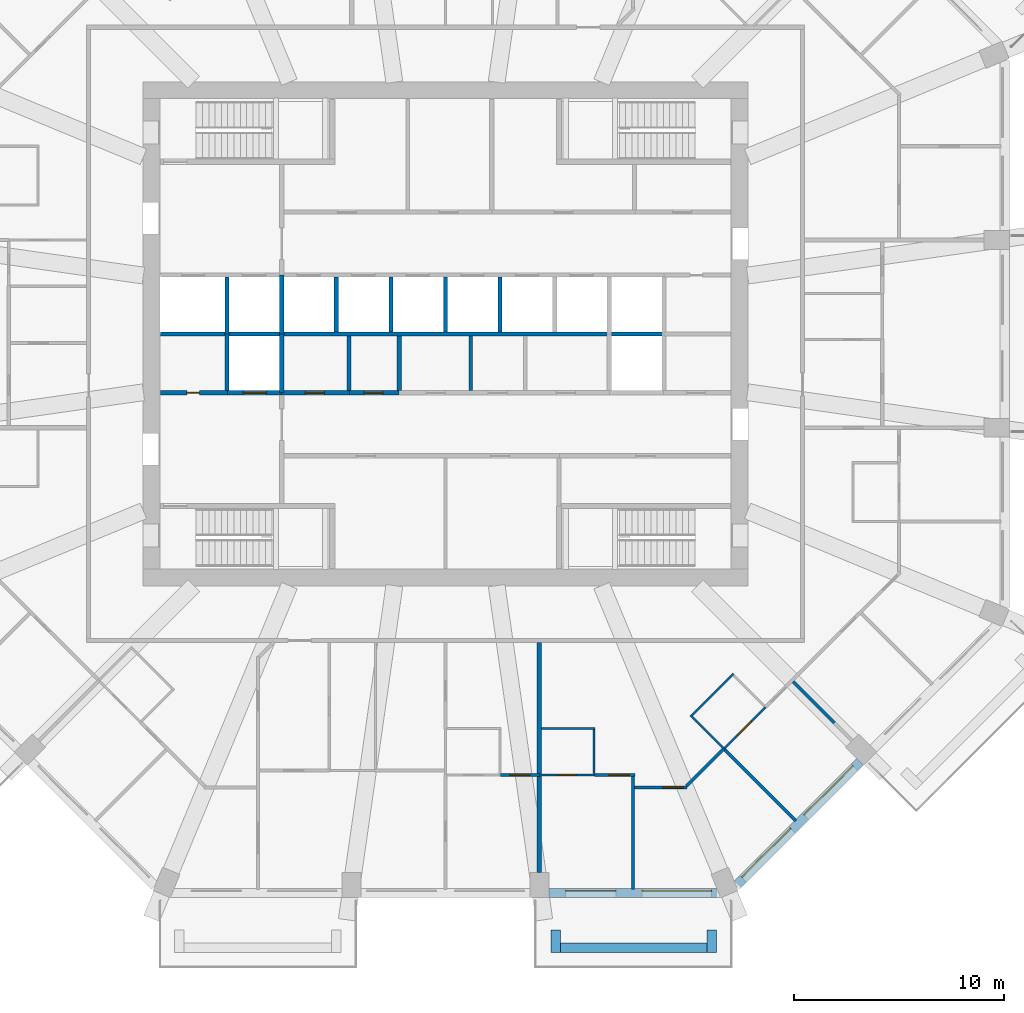
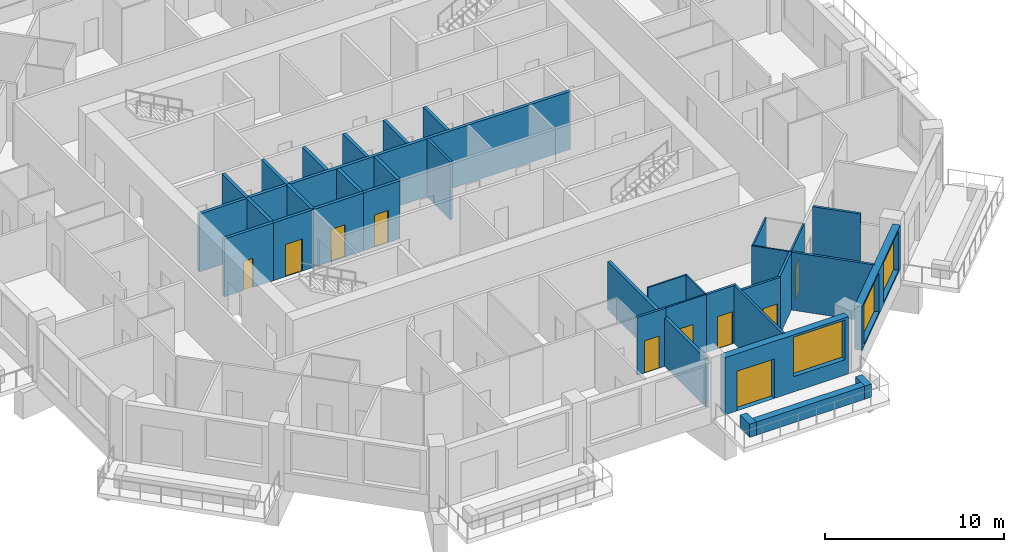
# One storey, part 5 of 13: 35 walls, 10 doors, 3 windows, 13 openings.
"""IFC4 building model written with IfcOpenShell, lengths in metres."""

from ifc_helpers import new_model, si_unit, direction, frame, frame_2d, origin, place, context, subcontext, project, spatial, rectangle, extrude, material, layer, layer_set, type_object, element, fill, save


model = new_model("IFC4")

# Units and contexts
model_context = context("Model", 3, precision=1e-05, world=origin(), true_north=direction((0.0, 1.0)))
body_context = subcontext(model_context, "Body", "Model", "MODEL_VIEW")
ifc_project = project(units=[si_unit("LENGTHUNIT", "METRE"), si_unit("AREAUNIT", "SQUARE_METRE"), si_unit("VOLUMEUNIT", "CUBIC_METRE"), si_unit("PLANEANGLEUNIT", "RADIAN"), si_unit("MASSUNIT", "GRAM", prefix="KILO")], contexts=[model_context])

# Site, building, storey
site_placement = place(None, origin())
site = spatial("IfcSite", under=ifc_project, at=site_placement, CompositionType="ELEMENT")
building_placement = place(site_placement, origin())
building = spatial("IfcBuilding", under=site, at=building_placement, Name="Msitu Wima Residences", CompositionType="ELEMENT")
storey_placement = place(building_placement, frame((0.0, 0.0, 106.5)))
storey = spatial("IfcBuildingStorey", under=building, at=storey_placement, Name="L24", CompositionType="ELEMENT", Elevation=106.5)

# Walls
ifc_material_1 = material(Name="Facing brick")
ifc_layer_1 = layer(ifc_material_1, 0.06494140625, Name="Facing brick")
ifc_material_2 = material(Name="Concrete C40/50", Category="concrete")
ifc_layer_2 = layer(ifc_material_2, 0.156005859375, Name="Concrete C40/50")
ifc_material_3 = material(Name="Waterproofing membrane")
ifc_layer_3 = layer(ifc_material_3, 0.00390625, Name="Waterproofing membrane")
ifc_material_4 = material(Name="Planting soil and planting")
ifc_layer_4 = layer(ifc_material_4, 0.22509765625, Name="Planting soil and planting")
ifc_layer_set_1 = layer_set([ifc_layer_1, ifc_layer_2, ifc_layer_3, ifc_layer_4], Name="Concrete C40/50")
wall_type_1 = type_object("IfcWallType", Name="Balcony planter PLANTER PL450", PredefinedType="USERDEFINED", material=ifc_layer_set_1)
wall_1_placement = place(storey_placement, frame((5.468505859375, -29.22509765625, 0.0), z_axis=(0.0, 0.0, 1.0), x_axis=(1.0, 0.0, 0.0)))
element("IfcWall", 1, at=wall_1_placement, inside=storey, type_object=wall_type_1, Name="Balcony planter S2 L24", ObjectType="PLANTER", PredefinedType="USERDEFINED", context=body_context, shape_type="SweptSolid", body=[
    extrude(rectangle(XDim=6.9873046875, YDim=0.449951171875, at=frame_2d((3.49365234375, 0.0))), origin(), (0.0, 0.0, 1.0), 0.89990234375),
])
for number, where, z_axis, x_axis, name in (
    (2, (5.24365234375, -28.39990234375, 0.0), (0.0, 0.0, 1.0), (0.0, -1.0, 0.0), "Balcony planter S2 L24"),
    (3, (12.680908203125, -28.39990234375, 0.0), (0.0, 0.0, 1.0), (0.0, -1.0, 0.0), "Balcony planter S2 L24"),
):
    element("IfcWall", number, at=place(storey_placement, frame(where, z_axis=z_axis, x_axis=x_axis)), inside=storey, type_object=wall_type_1, Name=name, ObjectType="PLANTER", PredefinedType="USERDEFINED", context=body_context, shape_type="SweptSolid", body=[
        extrude(rectangle(XDim=1.050048828125, YDim=0.449951171875, at=frame_2d((0.52490234375, 0.0))), origin(), (0.0, 0.0, 1.0), 0.89990234375),
    ])

# Wall, openings, door, window
ifc_material_5 = material(Name="Brick (red buff mix)", Category="masonry")
ifc_layer_5 = layer(ifc_material_5, 0.449951171875)
ifc_layer_set_2 = layer_set([ifc_layer_5], Name="Brick (red buff mix)")
wall_type_2 = type_object("IfcWallType", Name="Brick infill wall BW450", PredefinedType="SOLIDWALL", material=ifc_layer_set_2)
wall_2_placement = place(storey_placement, frame((4.918701171875, -26.625, 0.0), z_axis=(0.0, 0.0, 1.0), x_axis=(1.0, 0.0, 0.0)))
wall_2 = element("IfcWall", 4, at=wall_2_placement, inside=storey, type_object=wall_type_2, Name="Brick infill wall L24 S2", PredefinedType="SOLIDWALL", context=body_context, shape_type="SweptSolid", body=[
    extrude(rectangle(XDim=8.0, YDim=0.449951171875, at=frame_2d((4.0, 0.0))), origin(), (0.0, 0.0, 1.0), 3.89990234375),
])
opening_1_placement = place(wall_2_placement, frame((0.800048828125, 0.0, 0.0)))
opening_1 = element("IfcOpeningElement", 5, at=opening_1_placement, cuts=wall_2, Name="Opening D24.007", PredefinedType="OPENING", context=body_context, shape_type="SweptSolid", body=[
    extrude(rectangle(XDim=2.39990234375, YDim=2.699951171875, at=frame_2d((1.199951171875, 1.35009765625))), frame((0.0, 0.23486328125, 0.0), z_axis=(0.0, -1.0, 0.0), x_axis=(1.0, 0.0, 0.0)), (0.0, 0.0, 1.0), 0.469970703125),
])
opening_2_placement = place(wall_2_placement, frame((4.4501953125, 0.0, 1.050048828125)))
opening_2 = element("IfcOpeningElement", 6, at=opening_2_placement, cuts=wall_2, Name="Opening W24.019", PredefinedType="OPENING", context=body_context, shape_type="SweptSolid", body=[
    extrude(rectangle(XDim=3.300048828125, YDim=2.699951171875, at=frame_2d((1.64990234375, 1.35009765625))), frame((0.0, 0.23486328125, 0.0), z_axis=(0.0, -1.0, 0.0), x_axis=(1.0, 0.0, 0.0)), (0.0, 0.0, 1.0), 0.469970703125),
])
ifc_material_6 = material(Name="Anodised aluminium, bronze finish, clear low-emissivity double glazing", Category="aluminium")
door_type_1 = type_object("IfcDoorType", Name="Balcony door D2400x2700", OperationType="SLIDING_TO_LEFT", PredefinedType="DOOR", material=ifc_material_6)
door_1_placement = place(opening_1_placement, origin())
door_1 = element("IfcDoor", 7, at=door_1_placement, inside=storey, type_object=door_type_1, Name="Balcony door L24 S2", OperationType="SINGLE_SWING_LEFT", OverallHeight=2.699951171875, OverallWidth=2.39990234375, PredefinedType="DOOR", context=body_context, shape_type="SweptSolid", body=[
    extrude(rectangle(XDim=2.39990234375, YDim=2.699951171875, at=frame_2d((1.199951171875, 1.35009765625))), frame((0.0, 0.1298828125, 0.0), z_axis=(0.0, -1.0, 0.0), x_axis=(1.0, 0.0, 0.0)), (0.0, 0.0, 1.0), 0.050048828125),
])
fill(opening_1, door_1)
window_type = type_object("IfcWindowType", Name="Window W3300x2700", PartitioningType="DOUBLE_PANEL_VERTICAL", PredefinedType="WINDOW", material=ifc_material_6)
window_1_placement = place(opening_2_placement, origin())
window_1 = element("IfcWindow", 8, at=window_1_placement, inside=storey, type_object=window_type, Name="Window L24 S2.2", OverallHeight=2.699951171875, OverallWidth=3.300048828125, PartitioningType="SINGLE_PANEL", PredefinedType="WINDOW", context=body_context, shape_type="SweptSolid", body=[
    extrude(rectangle(XDim=3.300048828125, YDim=2.699951171875, at=frame_2d((1.64990234375, 1.35009765625))), frame((0.0, 0.135009765625, 0.0), z_axis=(0.0, -1.0, 0.0), x_axis=(1.0, 0.0, 0.0)), (0.0, 0.0, 1.0), 0.06005859375),
])
fill(opening_2, window_1)

# Wall, openings, windows
wall_3_placement = place(storey_placement, frame((13.909423828125, -26.214599609375, 0.89990234375), z_axis=(0.0, 0.0, 1.0), x_axis=(0.707106781187, 0.707106781187, 0.0)))
wall_3 = element("IfcWall", 9, at=wall_3_placement, inside=storey, type_object=wall_type_2, Name="Brick infill wall L24 SE0", PredefinedType="SOLIDWALL", context=body_context, shape_type="SweptSolid", body=[
    extrude(rectangle(XDim=8.251220703125, YDim=0.449951171875, at=frame_2d((4.12548828125, 0.0))), origin(), (0.0, 0.0, 1.0), 3.0),
])
opening_3_placement = place(wall_3_placement, frame((0.37548828125, 0.0, 0.14990234375)))
opening_3 = element("IfcOpeningElement", 10, at=opening_3_placement, cuts=wall_3, Name="Opening W24.020", PredefinedType="OPENING", context=body_context, shape_type="SweptSolid", body=[
    extrude(rectangle(XDim=3.300048828125, YDim=2.699951171875, at=frame_2d((1.64990234375, 1.35009765625))), frame((0.0, 0.23486328125, 0.0), z_axis=(0.0, -1.0, 0.0), x_axis=(1.0, 0.0, 0.0)), (0.0, 0.0, 1.0), 0.469970703125),
])
opening_4_placement = place(wall_3_placement, frame((4.57568359375, 0.0, 0.14990234375)))
opening_4 = element("IfcOpeningElement", 11, at=opening_4_placement, cuts=wall_3, Name="Opening W24.021", PredefinedType="OPENING", context=body_context, shape_type="SweptSolid", body=[
    extrude(rectangle(XDim=3.300048828125, YDim=2.699951171875, at=frame_2d((1.64990234375, 1.35009765625))), frame((0.0, 0.23486328125, 0.0), z_axis=(0.0, -1.0, 0.0), x_axis=(1.0, 0.0, 0.0)), (0.0, 0.0, 1.0), 0.469970703125),
])
window_2_placement = place(opening_3_placement, origin())
window_2 = element("IfcWindow", 12, at=window_2_placement, inside=storey, type_object=window_type, Name="Window L24 SE0.1", OverallHeight=2.699951171875, OverallWidth=3.300048828125, PartitioningType="SINGLE_PANEL", PredefinedType="WINDOW", context=body_context, shape_type="SweptSolid", body=[
    extrude(rectangle(XDim=3.300048828125, YDim=2.699951171875, at=frame_2d((1.64990234375, 1.35009765625))), frame((0.0, 0.135009765625, 0.0), z_axis=(0.0, -1.0, 0.0), x_axis=(1.0, 0.0, 0.0)), (0.0, 0.0, 1.0), 0.06005859375),
])
fill(opening_3, window_2)
window_3_placement = place(opening_4_placement, origin())
window_3 = element("IfcWindow", 13, at=window_3_placement, inside=storey, type_object=window_type, Name="Window L24 SE0.2", OverallHeight=2.699951171875, OverallWidth=3.300048828125, PartitioningType="SINGLE_PANEL", PredefinedType="WINDOW", context=body_context, shape_type="SweptSolid", body=[
    extrude(rectangle(XDim=3.300048828125, YDim=2.699951171875, at=frame_2d((1.64990234375, 1.35009765625))), frame((0.0, 0.135009765625, 0.0), z_axis=(0.0, -1.0, 0.0), x_axis=(1.0, 0.0, 0.0)), (0.0, 0.0, 1.0), 0.06005859375),
])
fill(opening_4, window_3)

# Wall, opening, door
ifc_material_7 = material(Name="Plaster")
ifc_layer_6 = layer(ifc_material_7, 0.011962890625, Name="Plaster")
ifc_material_8 = material(Name="Concrete blockwork", Category="masonry")
ifc_layer_7 = layer(ifc_material_8, 0.176025390625, Name="Concrete blockwork")
ifc_layer_8 = layer(ifc_material_7, 0.011962890625, Name="Plaster")
ifc_layer_set_3 = layer_set([ifc_layer_6, ifc_layer_7, ifc_layer_8], Name="Concrete blockwork")
wall_type_3 = type_object("IfcWallType", Name="Corridor wall FW200", PredefinedType="PARTITIONING", material=ifc_layer_set_3)
wall_4_placement = place(storey_placement, frame((-7.820068359375, -2.800048828125, 0.0), z_axis=(0.0, 0.0, 1.0), x_axis=(1.0, 0.0, 0.0)))
wall_4 = element("IfcWall", 14, at=wall_4_placement, inside=storey, type_object=wall_type_3, Name="Corridor wall", PredefinedType="PARTITIONING", context=body_context, shape_type="SweptSolid", body=[
    extrude(rectangle(XDim=3.239990234375, YDim=0.199951171875, at=frame_2d((1.6201171875, 0.0))), origin(), (0.0, 0.0, 1.0), 3.949951171875),
])
opening_5_placement = place(wall_4_placement, frame((1.14990234375, 0.0, 0.0)))
opening_5 = element("IfcOpeningElement", 15, at=opening_5_placement, cuts=wall_4, Name="Opening D24.031", PredefinedType="OPENING", context=body_context, shape_type="SweptSolid", body=[
    extrude(rectangle(XDim=0.89990234375, YDim=2.199951171875, at=frame_2d((0.449951171875, 1.10009765625))), frame((0.0, 0.10986328125, 0.0), z_axis=(0.0, -1.0, 0.0), x_axis=(1.0, 0.0, 0.0)), (0.0, 0.0, 1.0), 0.219970703125),
])
ifc_material_9 = material(Name="Timber flush door", Category="wood")
door_type_2 = type_object("IfcDoorType", Name="Service door D05 900x2200", OperationType="SINGLE_SWING_LEFT", PredefinedType="DOOR", material=ifc_material_9)
door_2_placement = place(opening_5_placement, origin())
door_2 = element("IfcDoor", 16, at=door_2_placement, inside=storey, type_object=door_type_2, Name="Service door", OperationType="SINGLE_SWING_LEFT", OverallHeight=2.199951171875, OverallWidth=0.89990234375, PredefinedType="DOOR", context=body_context, shape_type="SweptSolid", body=[
    extrude(rectangle(XDim=0.89990234375, YDim=2.199951171875, at=frame_2d((0.449951171875, 1.10009765625))), frame((0.0, 0.02490234375, 0.0), z_axis=(0.0, -1.0, 0.0), x_axis=(1.0, 0.0, 0.0)), (0.0, 0.0, 1.0), 0.050048828125),
])
fill(opening_5, door_2)

# Wall
ifc_layer_9 = layer(ifc_material_7, 0.011962890625, Name="Plaster")
ifc_layer_10 = layer(ifc_material_8, 0.1259765625, Name="Concrete blockwork")
ifc_layer_11 = layer(ifc_material_7, 0.011962890625, Name="Plaster")
ifc_layer_set_4 = layer_set([ifc_layer_9, ifc_layer_10, ifc_layer_11], Name="Concrete blockwork")
wall_type_4 = type_object("IfcWallType", Name="Partition PW150", PredefinedType="PARTITIONING", material=ifc_layer_set_4)
wall_5_placement = place(storey_placement, frame((1.199951171875, -2.699951171875, 0.0), z_axis=(0.0, 0.0, 1.0), x_axis=(0.0, 1.0, 0.0)))
element("IfcWall", 17, at=wall_5_placement, inside=storey, type_object=wall_type_4, Name="Partition", PredefinedType="PARTITIONING", context=body_context, shape_type="SweptSolid", body=[
    extrude(rectangle(XDim=2.599853515625, YDim=0.14990234375, at=frame_2d((1.2998046875, 0.0))), origin(), (0.0, 0.0, 1.0), 3.949951171875),
])

# Wall, opening, door
wall_6_placement = place(storey_placement, frame((2.6201171875, -21.0, 0.0), z_axis=(0.0, 0.0, 1.0), x_axis=(1.0, 0.0, 0.0)))
wall_6 = element("IfcWall", 18, at=wall_6_placement, inside=storey, type_object=wall_type_4, Name="Partition", PredefinedType="PARTITIONING", context=body_context, shape_type="SweptSolid", body=[
    extrude(rectangle(XDim=1.8486328125, YDim=0.14990234375, at=frame_2d((0.92431640625, 0.0))), origin(), (0.0, 0.0, 1.0), 3.949951171875),
])
opening_6_placement = place(wall_6_placement, frame((0.449951171875, 0.0, 0.0)))
opening_6 = element("IfcOpeningElement", 19, at=opening_6_placement, cuts=wall_6, Name="Opening D24.074", PredefinedType="OPENING", context=body_context, shape_type="SweptSolid", body=[
    extrude(rectangle(XDim=0.949951171875, YDim=2.199951171875, at=frame_2d((0.47509765625, 1.10009765625))), frame((0.0, 0.0849609375, 0.0), z_axis=(0.0, -1.0, 0.0), x_axis=(1.0, 0.0, 0.0)), (0.0, 0.0, 1.0), 0.169921875),
])
door_type_3 = type_object("IfcDoorType", Name="Room door D12 950x2200", OperationType="SINGLE_SWING_LEFT", PredefinedType="DOOR", material=ifc_material_9)
door_3_placement = place(opening_6_placement, origin())
door_3 = element("IfcDoor", 20, at=door_3_placement, inside=storey, type_object=door_type_3, Name="Room door", OperationType="SINGLE_SWING_LEFT", OverallHeight=2.199951171875, OverallWidth=0.949951171875, PredefinedType="DOOR", context=body_context, shape_type="SweptSolid", body=[
    extrude(rectangle(XDim=0.949951171875, YDim=2.199951171875, at=frame_2d((0.47509765625, 1.10009765625))), frame((0.0, 0.02490234375, 0.0), z_axis=(0.0, -1.0, 0.0), x_axis=(1.0, 0.0, 0.0)), (0.0, 0.0, 1.0), 0.050048828125),
])
fill(opening_6, door_3)

wall_7_placement = place(storey_placement, frame((7.088623046875, -21.0, 0.0), z_axis=(0.0, 0.0, 1.0), x_axis=(1.0, 0.0, 0.0)))
wall_7 = element("IfcWall", 21, at=wall_7_placement, inside=storey, type_object=wall_type_4, Name="Partition", PredefinedType="PARTITIONING", context=body_context, shape_type="SweptSolid", body=[
    extrude(rectangle(XDim=1.923583984375, YDim=0.14990234375, at=frame_2d((0.9619140625, 0.0))), origin(), (0.0, 0.0, 1.0), 3.949951171875),
])
opening_7_placement = place(wall_7_placement, frame((0.699951171875, 0.0, 0.0)))
opening_7 = element("IfcOpeningElement", 22, at=opening_7_placement, cuts=wall_7, Name="Opening D24.085", PredefinedType="OPENING", context=body_context, shape_type="SweptSolid", body=[
    extrude(rectangle(XDim=0.949951171875, YDim=2.199951171875, at=frame_2d((0.47509765625, 1.10009765625))), frame((0.0, 0.0849609375, 0.0), z_axis=(0.0, -1.0, 0.0), x_axis=(1.0, 0.0, 0.0)), (0.0, 0.0, 1.0), 0.169921875),
])
door_4_placement = place(opening_7_placement, origin())
door_4 = element("IfcDoor", 23, at=door_4_placement, inside=storey, type_object=door_type_3, Name="Room door", OperationType="SINGLE_SWING_LEFT", OverallHeight=2.199951171875, OverallWidth=0.949951171875, PredefinedType="DOOR", context=body_context, shape_type="SweptSolid", body=[
    extrude(rectangle(XDim=0.949951171875, YDim=2.199951171875, at=frame_2d((0.47509765625, 1.10009765625))), frame((0.0, 0.02490234375, 0.0), z_axis=(0.0, -1.0, 0.0), x_axis=(1.0, 0.0, 0.0)), (0.0, 0.0, 1.0), 0.050048828125),
])
fill(opening_7, door_4)

# Wall
wall_8_placement = place(storey_placement, frame((8.937255859375, -26.455078125, 0.0), z_axis=(0.0, 0.0, 1.0), x_axis=(0.0, 1.0, 0.0)))
element("IfcWall", 24, at=wall_8_placement, inside=storey, type_object=wall_type_4, Name="Partition", PredefinedType="PARTITIONING", context=body_context, shape_type="SweptSolid", body=[
    extrude(rectangle(XDim=5.380126953125, YDim=0.14990234375, at=frame_2d((2.68994140625, 0.0))), origin(), (0.0, 0.0, 1.0), 3.949951171875),
])

# Wall, opening, door
wall_9_placement = place(storey_placement, frame((9.01220703125, -21.60009765625, 0.0), z_axis=(0.0, 0.0, 1.0), x_axis=(1.0, 0.0, 0.0)))
wall_9 = element("IfcWall", 25, at=wall_9_placement, inside=storey, type_object=wall_type_4, Name="Partition", PredefinedType="PARTITIONING", context=body_context, shape_type="SweptSolid", body=[
    extrude(rectangle(XDim=2.48046875, YDim=0.14990234375, at=frame_2d((1.240234375, 0.0))), origin(), (0.0, 0.0, 1.0), 3.949951171875),
])
opening_8_placement = place(wall_9_placement, frame((1.35009765625, 0.0, 0.0)))
opening_8 = element("IfcOpeningElement", 26, at=opening_8_placement, cuts=wall_9, Name="Opening D24.089", PredefinedType="OPENING", context=body_context, shape_type="SweptSolid", body=[
    extrude(rectangle(XDim=0.949951171875, YDim=2.199951171875, at=frame_2d((0.47509765625, 1.10009765625))), frame((0.0, 0.0849609375, 0.0), z_axis=(0.0, -1.0, 0.0), x_axis=(1.0, 0.0, 0.0)), (0.0, 0.0, 1.0), 0.169921875),
])
door_5_placement = place(opening_8_placement, origin())
door_5 = element("IfcDoor", 27, at=door_5_placement, inside=storey, type_object=door_type_3, Name="Room door", OperationType="SINGLE_SWING_RIGHT", OverallHeight=2.199951171875, OverallWidth=0.949951171875, PredefinedType="DOOR", context=body_context, shape_type="SweptSolid", body=[
    extrude(rectangle(XDim=0.949951171875, YDim=2.199951171875, at=frame_2d((0.47509765625, 1.10009765625))), frame((0.0, 0.02490234375, 0.0), z_axis=(0.0, -1.0, 0.0), x_axis=(1.0, 0.0, 0.0)), (0.0, 0.0, 1.0), 0.050048828125),
])
fill(opening_8, door_5)

# Walls
wall_10_placement = place(storey_placement, frame((11.470703125, -21.546875, 0.0), z_axis=(0.0, 0.0, 1.0), x_axis=(0.707106781187, 0.707106781187, 0.0)))
element("IfcWall", 28, at=wall_10_placement, inside=storey, type_object=wall_type_4, Name="Partition", PredefinedType="PARTITIONING", context=body_context, shape_type="SweptSolid", body=[
    extrude(rectangle(XDim=2.53076171875, YDim=0.14990234375, at=frame_2d((1.265380859375, 0.0))), origin(), (0.0, 0.0, 1.0), 3.949951171875),
])
wall_11_placement = place(storey_placement, frame((13.24609375, -19.7431640625, 0.0), z_axis=(0.0, 0.0, 1.0), x_axis=(0.707106781187, -0.707106781187, 0.0)))
element("IfcWall", 29, at=wall_11_placement, inside=storey, type_object=wall_type_4, Name="Partition", PredefinedType="PARTITIONING", context=body_context, shape_type="SweptSolid", body=[
    extrude(rectangle(XDim=4.875244140625, YDim=0.14990234375, at=frame_2d((2.4375, 0.0))), origin(), (0.0, 0.0, 1.0), 3.949951171875),
])
wall_12_placement = place(storey_placement, frame((16.561767578125, -16.561767578125, 0.0), z_axis=(0.0, 0.0, 1.0), x_axis=(0.707106781187, -0.707106781187, 0.0)))
element("IfcWall", 30, at=wall_12_placement, inside=storey, type_object=wall_type_4, Name="Partition", PredefinedType="PARTITIONING", context=body_context, shape_type="SweptSolid", body=[
    extrude(rectangle(XDim=2.765869140625, YDim=0.14990234375, at=frame_2d((1.3828125, 0.0))), origin(), (0.0, 0.0, 1.0), 3.949951171875),
])
ifc_layer_12 = layer(ifc_material_7, 0.011962890625, Name="Plaster")
ifc_material_10 = material(Name="Dense concrete blockwork", Category="masonry")
ifc_layer_13 = layer(ifc_material_10, 0.176025390625, Name="Dense concrete blockwork")
ifc_layer_14 = layer(ifc_material_7, 0.011962890625, Name="Plaster")
ifc_layer_set_5 = layer_set([ifc_layer_12, ifc_layer_13, ifc_layer_14], Name="Dense concrete blockwork")
wall_type_5 = type_object("IfcWallType", Name="Party wall PW200", PredefinedType="PARTITIONING", material=ifc_layer_set_5)
wall_13_placement = place(storey_placement, frame((4.46875, -25.64990234375, 0.0), z_axis=(0.0, 0.0, 1.0), x_axis=(0.0, 1.0, 0.0)))
element("IfcWall", 31, at=wall_13_placement, inside=storey, type_object=wall_type_5, Name="Party wall", PredefinedType="PARTITIONING", context=body_context, shape_type="SweptSolid", body=[
    extrude(rectangle(XDim=10.949951171875, YDim=0.199951171875, at=frame_2d((5.47509765625, 0.0))), origin(), (0.0, 0.0, 1.0), 3.300048828125),
])

# Wall, opening, door
ifc_layer_15 = layer(ifc_material_7, 0.011962890625, Name="Plaster")
ifc_material_11 = material(Name="Reinforced concrete blockwork", Category="masonry")
ifc_layer_16 = layer(ifc_material_11, 0.176025390625, Name="Reinforced concrete blockwork")
ifc_layer_17 = layer(ifc_material_7, 0.011962890625, Name="Plaster")
ifc_layer_set_6 = layer_set([ifc_layer_15, ifc_layer_16, ifc_layer_17], Name="Reinforced concrete blockwork")
wall_type_6 = type_object("IfcWallType", Name="Plant and riser wall PL200", PredefinedType="PARTITIONING", material=ifc_layer_set_6)
wall_14_placement = place(storey_placement, frame((-13.570068359375, -2.800048828125, 0.0), z_axis=(0.0, 0.0, 1.0), x_axis=(1.0, 0.0, 0.0)))
wall_14 = element("IfcWall", 32, at=wall_14_placement, inside=storey, type_object=wall_type_6, Name="Plant and riser wall", PredefinedType="PARTITIONING", context=body_context, shape_type="SweptSolid", body=[
    extrude(rectangle(XDim=3.190185546875, YDim=0.199951171875, at=frame_2d((1.59521484375, 0.0))), origin(), (0.0, 0.0, 1.0), 3.949951171875),
])
opening_9_placement = place(wall_14_placement, frame((1.25, 0.0, 0.0)))
opening_9 = element("IfcOpeningElement", 33, at=opening_9_placement, cuts=wall_14, Name="Opening D24.030", PredefinedType="OPENING", context=body_context, shape_type="SweptSolid", body=[
    extrude(rectangle(XDim=0.60009765625, YDim=2.0, at=frame_2d((0.300048828125, 1.0))), frame((0.0, 0.10986328125, 0.0), z_axis=(0.0, -1.0, 0.0), x_axis=(1.0, 0.0, 0.0)), (0.0, 0.0, 1.0), 0.219970703125),
])
ifc_material_12 = material(Name="Steel access door, fire resisting", Category="steel")
door_type_4 = type_object("IfcDoorType", Name="Riser access door D08 600x2000", OperationType="SINGLE_SWING_LEFT", PredefinedType="DOOR", material=ifc_material_12)
door_6_placement = place(opening_9_placement, origin())
door_6 = element("IfcDoor", 34, at=door_6_placement, inside=storey, type_object=door_type_4, Name="Riser access door", OperationType="SINGLE_SWING_RIGHT", OverallHeight=2.0, OverallWidth=0.60009765625, PredefinedType="DOOR", context=body_context, shape_type="SweptSolid", body=[
    extrude(rectangle(XDim=0.60009765625, YDim=2.0, at=frame_2d((0.300048828125, 1.0))), frame((0.0, 0.02490234375, 0.0), z_axis=(0.0, -1.0, 0.0), x_axis=(1.0, 0.0, 0.0)), (0.0, 0.0, 1.0), 0.050048828125),
])
fill(opening_9, door_6)

wall_15_placement = place(storey_placement, frame((-4.580078125, -2.800048828125, 0.0), z_axis=(0.0, 0.0, 1.0), x_axis=(1.0, 0.0, 0.0)))
wall_15 = element("IfcWall", 35, at=wall_15_placement, inside=storey, type_object=wall_type_6, Name="Plant and riser wall", PredefinedType="PARTITIONING", context=body_context, shape_type="SweptSolid", body=[
    extrude(rectangle(XDim=2.360107421875, YDim=0.199951171875, at=frame_2d((1.18017578125, 0.0))), origin(), (0.0, 0.0, 1.0), 3.949951171875),
])
opening_10_placement = place(wall_15_placement, frame((0.699951171875, 0.0, 0.0)))
opening_10 = element("IfcOpeningElement", 36, at=opening_10_placement, cuts=wall_15, Name="Opening D24.032", PredefinedType="OPENING", context=body_context, shape_type="SweptSolid", body=[
    extrude(rectangle(XDim=0.89990234375, YDim=2.199951171875, at=frame_2d((0.449951171875, 1.10009765625))), frame((0.0, 0.10986328125, 0.0), z_axis=(0.0, -1.0, 0.0), x_axis=(1.0, 0.0, 0.0)), (0.0, 0.0, 1.0), 0.219970703125),
])
door_7_placement = place(opening_10_placement, origin())
door_7 = element("IfcDoor", 37, at=door_7_placement, inside=storey, type_object=door_type_2, Name="Service door", OperationType="SINGLE_SWING_LEFT", OverallHeight=2.199951171875, OverallWidth=0.89990234375, PredefinedType="DOOR", context=body_context, shape_type="SweptSolid", body=[
    extrude(rectangle(XDim=0.89990234375, YDim=2.199951171875, at=frame_2d((0.449951171875, 1.10009765625))), frame((0.0, 0.02490234375, 0.0), z_axis=(0.0, -1.0, 0.0), x_axis=(1.0, 0.0, 0.0)), (0.0, 0.0, 1.0), 0.050048828125),
])
fill(opening_10, door_7)

# Walls
for number, where, z_axis, x_axis, name in (
    (38, (-4.60009765625, -2.699951171875, 0.0), (0.0, 0.0, 1.0), (0.0, 1.0, 0.0), "Plant and riser wall"),
    (39, (-2.199951171875, -2.699951171875, 0.0), (0.0, 0.0, 1.0), (0.0, 1.0, 0.0), "Plant and riser wall"),
):
    element("IfcWall", number, at=place(storey_placement, frame(where, z_axis=z_axis, x_axis=x_axis)), inside=storey, type_object=wall_type_6, Name=name, PredefinedType="PARTITIONING", context=body_context, shape_type="SweptSolid", body=[
        extrude(rectangle(XDim=2.599853515625, YDim=0.199951171875, at=frame_2d((1.2998046875, 0.0))), origin(), (0.0, 0.0, 1.0), 3.949951171875),
    ])
ifc_material_13 = material(Name="Fire-rated board")
ifc_layer_18 = layer(ifc_material_13, 0.02490234375, Name="Fire-rated board")
ifc_material_14 = material(Name="Light-gauge stud framing with mineral wool")
ifc_layer_19 = layer(ifc_material_14, 0.14990234375, Name="Light-gauge stud framing with mineral wool")
ifc_layer_20 = layer(ifc_material_13, 0.02490234375, Name="Fire-rated board")
ifc_layer_set_7 = layer_set([ifc_layer_18, ifc_layer_19, ifc_layer_20], Name="Light-gauge stud framing with mineral wool")
wall_type_7 = type_object("IfcWallType", Name="Shaft wall SH200", PredefinedType="PARTITIONING", material=ifc_layer_set_7)
wall_16_placement = place(storey_placement, frame((-13.570068359375, 0.0, 0.0), z_axis=(0.0, 0.0, 1.0), x_axis=(1.0, 0.0, 0.0)))
element("IfcWall", 40, at=wall_16_placement, inside=storey, type_object=wall_type_7, Name="Shaft wall", PredefinedType="PARTITIONING", context=body_context, shape_type="SweptSolid", body=[
    extrude(rectangle(XDim=23.969970703125, YDim=0.199951171875, at=frame_2d((11.98486328125, 0.0))), origin(), (0.0, 0.0, 1.0), 3.949951171875),
])
wall_17_placement = place(storey_placement, frame((-10.39990234375, -2.699951171875, 0.0), z_axis=(0.0, 0.0, 1.0), x_axis=(0.0, 1.0, 0.0)))
element("IfcWall", 41, at=wall_17_placement, inside=storey, type_object=wall_type_7, Name="Shaft wall", PredefinedType="PARTITIONING", context=body_context, shape_type="SweptSolid", body=[
    extrude(rectangle(XDim=2.699951171875, YDim=0.199951171875, at=frame_2d((1.35009765625, 0.0))), origin(), (0.0, 0.0, 1.0), 3.949951171875),
])

# Wall, opening, door
wall_18_placement = place(storey_placement, frame((-10.3798828125, -2.800048828125, 0.0), z_axis=(0.0, 0.0, 1.0), x_axis=(1.0, 0.0, 0.0)))
wall_18 = element("IfcWall", 42, at=wall_18_placement, inside=storey, type_object=wall_type_7, Name="Shaft wall", PredefinedType="PARTITIONING", context=body_context, shape_type="SweptSolid", body=[
    extrude(rectangle(XDim=2.559814453125, YDim=0.199951171875, at=frame_2d((1.27978515625, 0.0))), origin(), (0.0, 0.0, 1.0), 3.949951171875),
])
opening_11_placement = place(wall_18_placement, frame((0.75, 0.0, 0.0)))
opening_11 = element("IfcOpeningElement", 43, at=opening_11_placement, cuts=wall_18, Name="Opening LD", PredefinedType="OPENING", context=body_context, shape_type="SweptSolid", body=[
    extrude(rectangle(XDim=1.10009765625, YDim=2.199951171875, at=frame_2d((0.550048828125, 1.10009765625))), frame((0.0, 0.10986328125, 0.0), z_axis=(0.0, -1.0, 0.0), x_axis=(1.0, 0.0, 0.0)), (0.0, 0.0, 1.0), 0.219970703125),
])
ifc_material_15 = material(Name="Stainless steel centre-opening landing door, rated", Category="steel")
door_type_5 = type_object("IfcDoorType", Name="Lift landing door LD 1100x2200", OperationType="DOUBLE_DOOR_SLIDING", PredefinedType="DOOR", material=ifc_material_15)
door_8_placement = place(opening_11_placement, origin())
door_8 = element("IfcDoor", 44, at=door_8_placement, inside=storey, type_object=door_type_5, Name="Lift landing door LD3", OperationType="DOUBLE_DOOR_SLIDING", OverallHeight=2.199951171875, OverallWidth=1.10009765625, PredefinedType="DOOR", context=body_context, shape_type="SweptSolid", body=[
    extrude(rectangle(XDim=1.10009765625, YDim=2.199951171875, at=frame_2d((0.550048828125, 1.10009765625))), frame((0.0, 0.02490234375, 0.0), z_axis=(0.0, -1.0, 0.0), x_axis=(1.0, 0.0, 0.0)), (0.0, 0.0, 1.0), 0.050048828125),
])
fill(opening_11, door_8)

# Walls
wall_19_placement = place(storey_placement, frame((-10.39990234375, 0.0, 0.0), z_axis=(0.0, 0.0, 1.0), x_axis=(0.0, 1.0, 0.0)))
element("IfcWall", 45, at=wall_19_placement, inside=storey, type_object=wall_type_7, Name="Shaft wall", PredefinedType="PARTITIONING", context=body_context, shape_type="SweptSolid", body=[
    extrude(rectangle(XDim=2.699951171875, YDim=0.199951171875, at=frame_2d((1.35009765625, 0.0))), origin(), (0.0, 0.0, 1.0), 3.949951171875),
])
for number, where, z_axis, x_axis, name in (
    (46, (-7.800048828125, -2.800048828125, 0.0), (0.0, 0.0, 1.0), (0.0, 1.0, 0.0), "Shaft wall"),
    (47, (-7.800048828125, 0.0, 0.0), (0.0, 0.0, 1.0), (0.0, 1.0, 0.0), "Shaft wall"),
):
    element("IfcWall", number, at=place(storey_placement, frame(where, z_axis=z_axis, x_axis=x_axis)), inside=storey, type_object=wall_type_7, Name=name, PredefinedType="PARTITIONING", context=body_context, shape_type="SweptSolid", body=[
        extrude(rectangle(XDim=2.800048828125, YDim=0.199951171875, at=frame_2d((1.39990234375, 0.0))), origin(), (0.0, 0.0, 1.0), 3.949951171875),
    ])
for number, where, z_axis, x_axis, name in (
    (48, (-5.199951171875, 0.10009765625, 0.0), (0.0, 0.0, 1.0), (0.0, 1.0, 0.0), "Shaft wall"),
    (49, (-2.60009765625, 0.10009765625, 0.0), (0.0, 0.0, 1.0), (0.0, 1.0, 0.0), "Shaft wall"),
    (50, (0.0, 0.10009765625, 0.0), (0.0, 0.0, 1.0), (0.0, 1.0, 0.0), "Shaft wall"),
    (51, (2.60009765625, 0.10009765625, 0.0), (0.0, 0.0, 1.0), (0.0, 1.0, 0.0), "Shaft wall"),
):
    element("IfcWall", number, at=place(storey_placement, frame(where, z_axis=z_axis, x_axis=x_axis)), inside=storey, type_object=wall_type_7, Name=name, PredefinedType="PARTITIONING", context=body_context, shape_type="SweptSolid", body=[
        extrude(rectangle(XDim=2.599853515625, YDim=0.199951171875, at=frame_2d((1.2998046875, 0.0))), origin(), (0.0, 0.0, 1.0), 3.949951171875),
    ])

# Wall, opening, door
ifc_material_16 = material(Name="Ceramic tiles")
ifc_layer_21 = layer(ifc_material_16, 0.008056640625, Name="Ceramic tiles")
ifc_material_17 = material(Name="Moisture-resistant board")
ifc_layer_22 = layer(ifc_material_17, 0.012451171875, Name="Moisture-resistant board")
ifc_layer_23 = layer(ifc_material_14, 0.06689453125, Name="Light-gauge stud framing with mineral wool")
ifc_layer_24 = layer(ifc_material_17, 0.012451171875, Name="Moisture-resistant board")
ifc_layer_set_8 = layer_set([ifc_layer_21, ifc_layer_22, ifc_layer_23, ifc_layer_24], Name="Light-gauge stud framing with mineral wool")
wall_type_8 = type_object("IfcWallType", Name="Wet wall PW100", PredefinedType="PARTITIONING", material=ifc_layer_set_8)
wall_20_placement = place(storey_placement, frame((4.46875, -21.0, 0.0), z_axis=(0.0, 0.0, 1.0), x_axis=(1.0, 0.0, 0.0)))
wall_20 = element("IfcWall", 52, at=wall_20_placement, inside=storey, type_object=wall_type_8, Name="Wet wall", PredefinedType="PARTITIONING", context=body_context, shape_type="SweptSolid", body=[
    extrude(rectangle(XDim=2.619873046875, YDim=0.10009765625, at=frame_2d((1.31005859375, 0.0))), origin(), (0.0, 0.0, 1.0), 3.949951171875),
])
opening_12_placement = place(wall_20_placement, frame((0.85009765625, 0.0, 0.0)))
opening_12 = element("IfcOpeningElement", 53, at=opening_12_placement, cuts=wall_20, Name="Opening D24.087", PredefinedType="OPENING", context=body_context, shape_type="SweptSolid", body=[
    extrude(rectangle(XDim=0.89990234375, YDim=2.199951171875, at=frame_2d((0.449951171875, 1.10009765625))), frame((0.0, 0.06005859375, 0.0), z_axis=(0.0, -1.0, 0.0), x_axis=(1.0, 0.0, 0.0)), (0.0, 0.0, 1.0), 0.1201171875),
])
ifc_material_18 = material(Name="Timber flush door, moisture resistant", Category="wood")
door_type_6 = type_object("IfcDoorType", Name="Bathroom door D03 900x2200", OperationType="SINGLE_SWING_LEFT", PredefinedType="DOOR", material=ifc_material_18)
door_9_placement = place(opening_12_placement, origin())
door_9 = element("IfcDoor", 54, at=door_9_placement, inside=storey, type_object=door_type_6, Name="Bathroom door", OperationType="SINGLE_SWING_LEFT", OverallHeight=2.199951171875, OverallWidth=0.89990234375, PredefinedType="DOOR", context=body_context, shape_type="SweptSolid", body=[
    extrude(rectangle(XDim=0.89990234375, YDim=2.199951171875, at=frame_2d((0.449951171875, 1.10009765625))), frame((0.0, 0.02490234375, 0.0), z_axis=(0.0, -1.0, 0.0), x_axis=(1.0, 0.0, 0.0)), (0.0, 0.0, 1.0), 0.050048828125),
])
fill(opening_12, door_9)

# Walls
wall_21_placement = place(storey_placement, frame((4.568603515625, -18.800048828125, 0.0), z_axis=(0.0, 0.0, 1.0), x_axis=(1.0, 0.0, 0.0)))
element("IfcWall", 55, at=wall_21_placement, inside=storey, type_object=wall_type_8, Name="Wet wall", PredefinedType="PARTITIONING", context=body_context, shape_type="SweptSolid", body=[
    extrude(rectangle(XDim=2.550048828125, YDim=0.10009765625, at=frame_2d((1.27490234375, 0.0))), origin(), (0.0, 0.0, 1.0), 3.949951171875),
])
wall_22_placement = place(storey_placement, frame((7.068603515625, -20.925048828125, 0.0), z_axis=(0.0, 0.0, 1.0), x_axis=(0.0, 1.0, 0.0)))
element("IfcWall", 56, at=wall_22_placement, inside=storey, type_object=wall_type_8, Name="Wet wall", PredefinedType="PARTITIONING", context=body_context, shape_type="SweptSolid", body=[
    extrude(rectangle(XDim=2.074951171875, YDim=0.10009765625, at=frame_2d((1.03759765625, 0.0))), origin(), (0.0, 0.0, 1.0), 3.949951171875),
])
wall_23_placement = place(storey_placement, frame((11.66943359375, -18.166259765625, 0.0), z_axis=(0.0, 0.0, 1.0), x_axis=(0.70705203673, -0.707161521405, 0.0)))
element("IfcWall", 57, at=wall_23_placement, inside=storey, type_object=wall_type_8, Name="Wet wall", PredefinedType="PARTITIONING", context=body_context, shape_type="SweptSolid", body=[
    extrude(rectangle(XDim=2.22998046875, YDim=0.10009765625, at=frame_2d((1.114990234375, 0.0))), origin(), (0.0, 0.0, 1.0), 3.949951171875),
])
wall_24_placement = place(storey_placement, frame((11.739990234375, -18.166259765625, 0.0), z_axis=(0.0, 0.0, 1.0), x_axis=(0.707150377276, 0.707063182409, 0.0)))
element("IfcWall", 58, at=wall_24_placement, inside=storey, type_object=wall_type_8, Name="Wet wall", PredefinedType="PARTITIONING", context=body_context, shape_type="SweptSolid", body=[
    extrude(rectangle(XDim=2.800048828125, YDim=0.10009765625, at=frame_2d((1.39990234375, 0.0))), origin(), (0.0, 0.0, 1.0), 3.949951171875),
])

# Wall, opening, door
wall_25_placement = place(storey_placement, frame((13.26025390625, -19.75732421875, 0.0), z_axis=(0.0, 0.0, 1.0), x_axis=(0.707106781187, 0.707106781187, 0.0)))
wall_25 = element("IfcWall", 59, at=wall_25_placement, inside=storey, type_object=wall_type_8, Name="Wet wall", PredefinedType="PARTITIONING", context=body_context, shape_type="SweptSolid", body=[
    extrude(rectangle(XDim=2.800048828125, YDim=0.10009765625, at=frame_2d((1.39990234375, 0.0))), origin(), (0.0, 0.0, 1.0), 3.949951171875),
])
opening_13_placement = place(wall_25_placement, frame((0.949951171875, 0.0, 0.0)))
opening_13 = element("IfcOpeningElement", 60, at=opening_13_placement, cuts=wall_25, Name="Opening D24.082", PredefinedType="OPENING", context=body_context, shape_type="SweptSolid", body=[
    extrude(rectangle(XDim=0.89990234375, YDim=2.199951171875, at=frame_2d((0.449951171875, 1.10009765625))), frame((0.0, 0.06005859375, 0.0), z_axis=(0.0, -1.0, 0.0), x_axis=(1.0, 0.0, 0.0)), (0.0, 0.0, 1.0), 0.1201171875),
])
door_10_placement = place(opening_13_placement, origin())
door_10 = element("IfcDoor", 61, at=door_10_placement, inside=storey, type_object=door_type_6, Name="Bathroom door", OperationType="SINGLE_SWING_RIGHT", OverallHeight=2.199951171875, OverallWidth=0.89990234375, PredefinedType="DOOR", context=body_context, shape_type="SweptSolid", body=[
    extrude(rectangle(XDim=0.89990234375, YDim=2.199951171875, at=frame_2d((0.449951171875, 1.10009765625))), frame((0.0, 0.02490234375, 0.0), z_axis=(0.0, -1.0, 0.0), x_axis=(1.0, 0.0, 0.0)), (0.0, 0.0, 1.0), 0.050048828125),
])
fill(opening_13, door_10)

save(model, "model.ifc")
